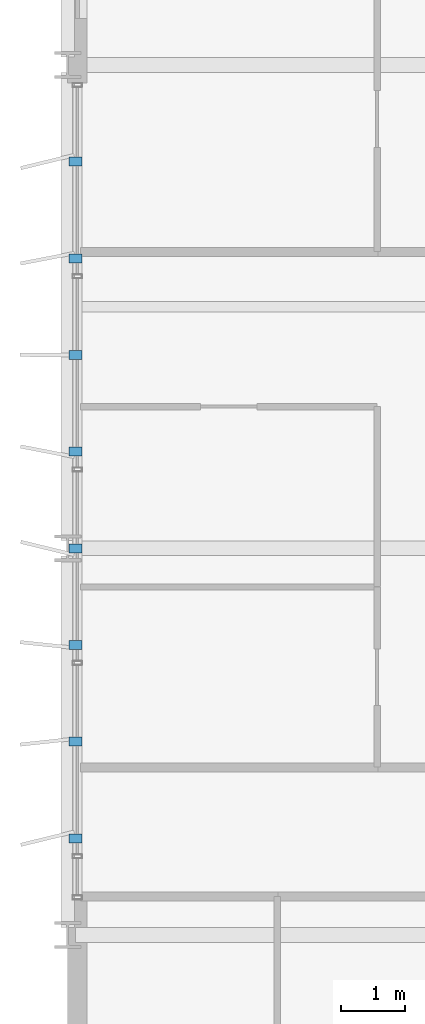
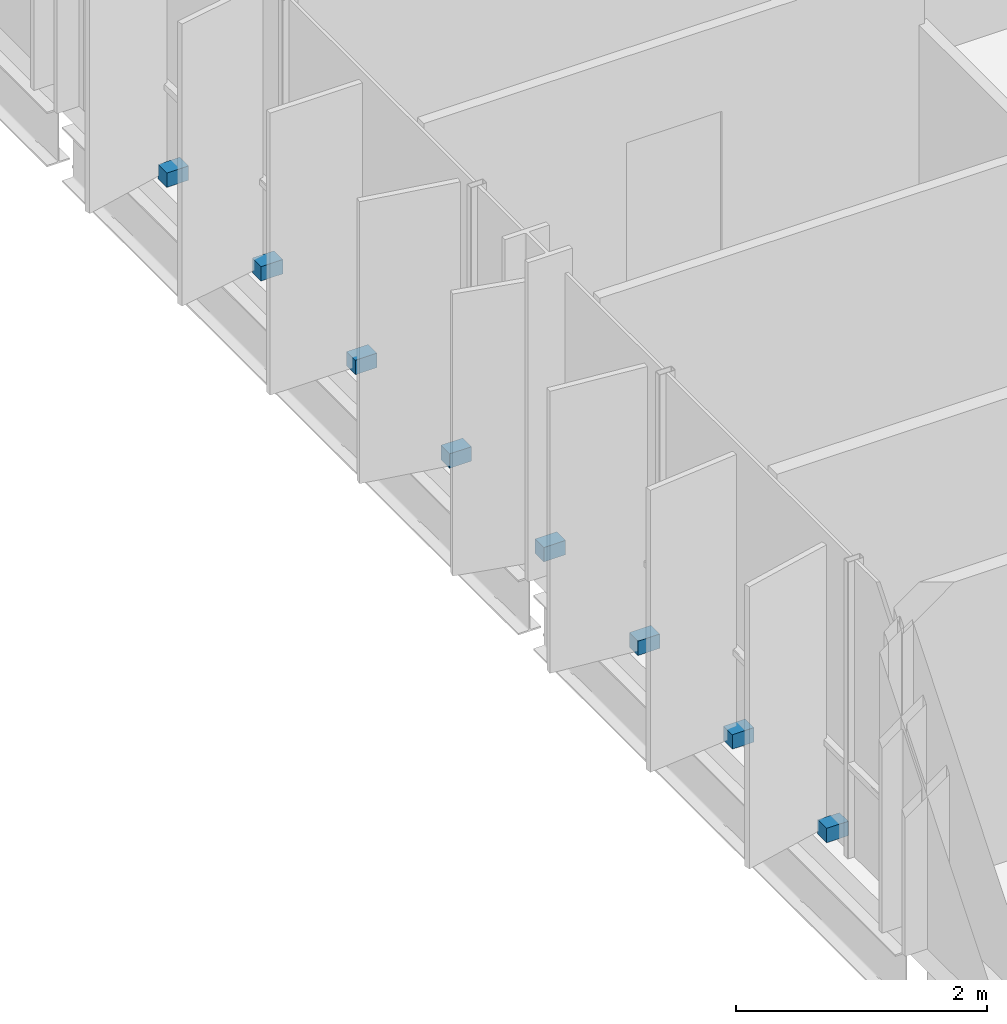
# One storey, part 34 of 38: 8 discrete accessories.
"""IFC4 building model written with IfcOpenShell, lengths in metres."""

from ifc_helpers import new_model, si_unit, direction, frame, origin, origin_2d, place, context, subcontext, project, spatial, rectangle, extrude, material, type_object, element, save


model = new_model("IFC4")

# Units and contexts
model_context = context("Model", 3, precision=1e-05, world=origin(), true_north=direction((0.0, 1.0)))
body_context = subcontext(model_context, "Body", "Model", "MODEL_VIEW")
ifc_project = project(units=[si_unit("LENGTHUNIT", "METRE"), si_unit("AREAUNIT", "SQUARE_METRE"), si_unit("VOLUMEUNIT", "CUBIC_METRE"), si_unit("PLANEANGLEUNIT", "RADIAN"), si_unit("MASSUNIT", "GRAM", prefix="KILO")], contexts=[model_context])

# Site, building, storey
site_placement = place(None, origin())
site = spatial("IfcSite", under=ifc_project, at=site_placement, CompositionType="ELEMENT")
building_placement = place(site_placement, origin())
building = spatial("IfcBuilding", under=site, at=building_placement, Name="Brevholm Reach", CompositionType="ELEMENT")
storey_placement = place(building_placement, frame((0.0, 0.0, 166.60009765625)))
storey = spatial("IfcBuildingStorey", under=building, at=storey_placement, Name="L50", CompositionType="ELEMENT", Elevation=166.60009765625)

# Discrete accessories
ifc_material = material(Name="Duplex Stainless Steel EN 1.4462", Category="steel")
discrete_accessory_type = type_object("IfcDiscreteAccessoryType", Name="ACC-BRK-01", PredefinedType="BRACKET", material=ifc_material)
for number, where, z_axis, x_axis, name in (
    (1, (0.1201171875, 11.5, 0.02978515625), (0.0, 0.0, 1.0), (-1.0, 0.0, 0.0), "L50 Solar Screen Support Bracket 1"),
    (2, (0.1201171875, 13.0, 0.02978515625), (0.0, 0.0, 1.0), (-1.0, 0.0, 0.0), "L50 Solar Screen Support Bracket 2"),
    (3, (0.1201171875, 14.5, 0.02978515625), (0.0, 0.0, 1.0), (-1.0, 0.0, 0.0), "L50 Solar Screen Support Bracket 3"),
    (4, (0.1201171875, 16.0, 0.02978515625), (0.0, 0.0, 1.0), (-1.0, 0.0, 0.0), "L50 Solar Screen Support Bracket 4"),
    (5, (0.1201171875, 17.5, 0.02978515625), (0.0, 0.0, 1.0), (-1.0, 0.0, 0.0), "L50 Solar Screen Support Bracket 5"),
    (6, (0.1201171875, 19.0, 0.02978515625), (0.0, 0.0, 1.0), (-1.0, 0.0, 0.0), "L50 Solar Screen Support Bracket 6"),
    (7, (0.1201171875, 20.5, 0.02978515625), (0.0, 0.0, 1.0), (-1.0, 0.0, 0.0), "L50 Solar Screen Support Bracket 7"),
    (8, (0.1201171875, 22.0, 0.02978515625), (0.0, 0.0, 1.0), (-1.0, 0.0, 0.0), "L50 Solar Screen Support Bracket 8"),
):
    element("IfcDiscreteAccessory", number, at=place(storey_placement, frame(where, z_axis=z_axis, x_axis=x_axis)), inside=storey, type_object=discrete_accessory_type, Name=name, PredefinedType="BRACKET", context=body_context, shape_type="SweptSolid", body=[
        extrude(rectangle(XDim=0.199951171875, YDim=0.139892578125, at=origin_2d()), origin(), (0.0, 0.0, 1.0), 0.139892578125),
    ])

save(model, "model.ifc")
